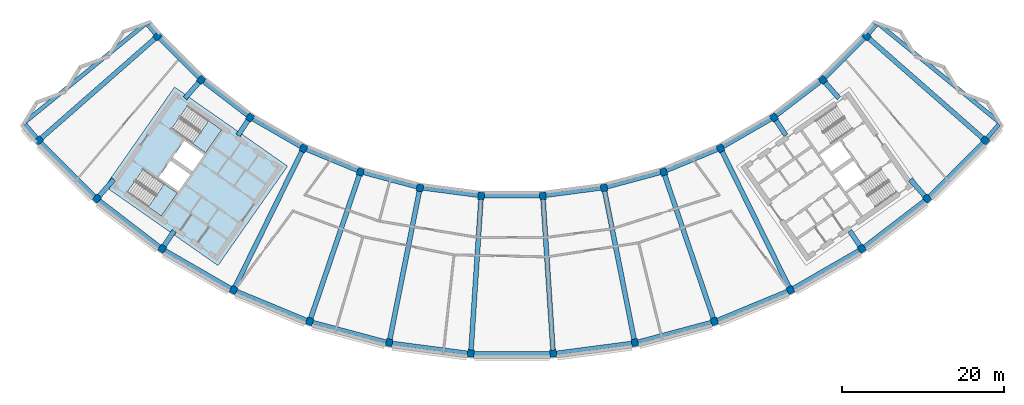
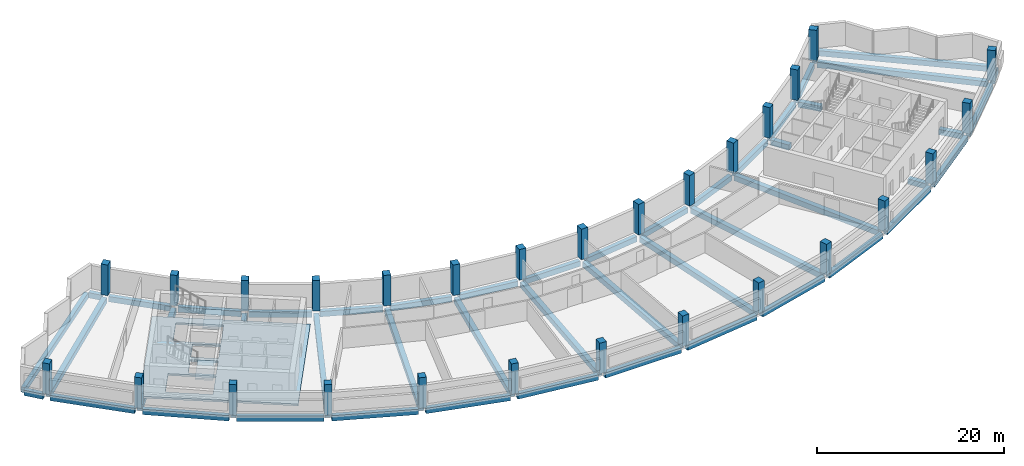
# One storey, part 1 of 11: 50 beams, 28 columns, 3 slabs, 2 elements without a shape of their own.
"""IFC4 building model written with IfcOpenShell, lengths in metres."""

from ifc_helpers import new_model, si_unit, direction, frame, origin, origin_2d, place, context, subcontext, project, spatial, polyline, rectangle, outline, extrude, material, layer, layer_set, material_profile, profile_set, type_object, element, aggregate, save


model = new_model("IFC4")

# Units and contexts
model_context = context("Model", 3, precision=1e-05, world=origin(), true_north=direction((0.0, 1.0)))
body_context = subcontext(model_context, "Body", "Model", "MODEL_VIEW")
ifc_project = project(units=[si_unit("LENGTHUNIT", "METRE"), si_unit("AREAUNIT", "SQUARE_METRE"), si_unit("VOLUMEUNIT", "CUBIC_METRE"), si_unit("PLANEANGLEUNIT", "RADIAN"), si_unit("MASSUNIT", "GRAM", prefix="KILO")], contexts=[model_context])

# Site, building, storey
site_placement = place(None, origin())
site = spatial("IfcSite", under=ifc_project, at=site_placement, CompositionType="ELEMENT")
building_placement = place(site_placement, origin())
building = spatial("IfcBuilding", under=site, at=building_placement, Name="Qamariyya Broadcast Tower", CompositionType="ELEMENT")
storey_placement = place(building_placement, frame((0.0, 0.0, 310.699951171875)))
storey = spatial("IfcBuildingStorey", under=building, at=storey_placement, Name="L75", CompositionType="ELEMENT", Elevation=310.699951171875)

# Columns
ifc_material_1 = material(Name="Concrete C50/60", Category="concrete")
ifc_material_profile_1 = material_profile(ifc_material_1, rectangle(XDim=0.800048828125, YDim=0.89990234375, at=origin_2d()))
ifc_profile_set_1 = profile_set([ifc_material_profile_1], Name="Concrete C50/60")
column_type = type_object("IfcColumnType", Name="RC column 800 x 900 C50/60", PredefinedType="COLUMN", material=ifc_profile_set_1)
for number, where, z_axis, x_axis, name in (
    (1, (-43.794677734375, -38.406982421875, 0.0), (0.0, 0.0, 1.0), (0.6593458151, -0.751839807479, 0.0), "Column C13 L75 B-R04"),
    (2, (-58.45556640625, -51.26416015625, 0.0), (0.0, 0.0, 1.0), (0.6593458151, -0.751839807479, 0.0), "Column C13 L75 C-R04"),
    (3, (-38.406982421875, -43.794677734375, 0.0), (0.0, 0.0, 1.0), (0.751839807479, -0.6593458151, 0.0), "Column C13 L75 B-R05"),
    (4, (-51.26416015625, -58.45556640625, 0.0), (0.0, 0.0, 1.0), (0.751839807479, -0.6593458151, 0.0), "Column C13 L75 C-R05"),
    (5, (-32.362060546875, -48.43310546875, 0.0), (0.0, 0.0, 1.0), (0.831469612303, -0.55557023302, 0.0), "Column C13 L75 B-R06"),
    (6, (-43.195556640625, -64.646728515625, 0.0), (0.0, 0.0, 1.0), (0.831469612303, -0.55557023302, 0.0), "Column C13 L75 C-R06"),
    (7, (-25.763427734375, -52.242919921875, 0.0), (0.0, 0.0, 1.0), (0.896872741533, -0.442288690219, 0.0), "Column C13 L75 B-R07"),
    (8, (-34.387939453125, -69.73193359375, 0.0), (0.0, 0.0, 1.0), (0.896872741533, -0.442288690219, 0.0), "Column C13 L75 C-R07"),
    (9, (-18.723876953125, -55.15869140625, 0.0), (0.0, 0.0, 1.0), (0.946930129495, -0.321439465303, 0.0), "Column C13 L75 B-R08"),
    (10, (-24.991943359375, -73.623779296875, 0.0), (0.0, 0.0, 1.0), (0.946930129495, -0.321439465303, 0.0), "Column C13 L75 C-R08"),
    (11, (-11.364013671875, -57.130859375, 0.0), (0.0, 0.0, 1.0), (0.980785280403, -0.195090322016, 0.0), "Column C13 L75 B-R09"),
    (12, (-15.168212890625, -76.256103515625, 0.0), (0.0, 0.0, 1.0), (0.980785280403, -0.195090322016, 0.0), "Column C13 L75 C-R09"),
    (13, (-3.809814453125, -58.125244140625, 0.0), (0.0, 0.0, 1.0), (0.997858923239, -0.06540312923, 0.0), "Column C13 L75 B-R10"),
    (14, (-5.085205078125, -77.58349609375, 0.0), (0.0, 0.0, 1.0), (0.997858923239, -0.06540312923, 0.0), "Column C13 L75 C-R10"),
    (15, (3.809814453125, -58.125244140625, 0.0), (0.0, 0.0, 1.0), (0.997858923239, 0.06540312923, 0.0), "Column C13 L75 B-R11"),
    (16, (5.085205078125, -77.58349609375, 0.0), (0.0, 0.0, 1.0), (0.997858923239, 0.06540312923, 0.0), "Column C13 L75 C-R11"),
    (17, (11.364013671875, -57.130859375, 0.0), (0.0, 0.0, 1.0), (0.980785280403, 0.195090322016, 0.0), "Column C13 L75 B-R12"),
    (18, (15.168212890625, -76.256103515625, 0.0), (0.0, 0.0, 1.0), (0.980785280403, 0.195090322016, 0.0), "Column C13 L75 C-R12"),
    (19, (18.723876953125, -55.15869140625, 0.0), (0.0, 0.0, 1.0), (0.946930129495, 0.321439465303, 0.0), "Column C13 L75 B-R13"),
    (20, (24.991943359375, -73.623779296875, 0.0), (0.0, 0.0, 1.0), (0.946930129495, 0.321439465303, 0.0), "Column C13 L75 C-R13"),
    (21, (25.763427734375, -52.242919921875, 0.0), (0.0, 0.0, 1.0), (0.896872741533, 0.442288690219, 0.0), "Column C13 L75 B-R14"),
    (22, (34.387939453125, -69.73193359375, 0.0), (0.0, 0.0, 1.0), (0.896872741533, 0.442288690219, 0.0), "Column C13 L75 C-R14"),
    (23, (32.362060546875, -48.43310546875, 0.0), (0.0, 0.0, 1.0), (0.831469612303, 0.55557023302, 0.0), "Column C13 L75 B-R15"),
    (24, (43.195556640625, -64.646728515625, 0.0), (0.0, 0.0, 1.0), (0.831469612303, 0.55557023302, 0.0), "Column C13 L75 C-R15"),
    (25, (38.406982421875, -43.794677734375, 0.0), (0.0, 0.0, 1.0), (0.751839807479, 0.6593458151, 0.0), "Column C13 L75 B-R16"),
    (26, (51.26416015625, -58.45556640625, 0.0), (0.0, 0.0, 1.0), (0.751839807479, 0.6593458151, 0.0), "Column C13 L75 C-R16"),
    (27, (43.794677734375, -38.406982421875, 0.0), (0.0, 0.0, 1.0), (0.6593458151, 0.751839807479, 0.0), "Column C13 L75 B-R17"),
    (28, (58.45556640625, -51.26416015625, 0.0), (0.0, 0.0, 1.0), (0.6593458151, 0.751839807479, 0.0), "Column C13 L75 C-R17"),
):
    element("IfcColumn", number, at=place(storey_placement, frame(where, z_axis=z_axis, x_axis=x_axis)), inside=storey, type_object=column_type, Name=name, PredefinedType="COLUMN", context=body_context, shape_type="SweptSolid", body=[
        extrude(rectangle(XDim=0.800048828125, YDim=0.89990234375, at=origin_2d()), origin(), (0.0, 0.0, 1.0), 4.0),
    ])

# Beams
ifc_material_2 = material(Name="Concrete C40/50", Category="concrete")
ifc_material_profile_2 = material_profile(ifc_material_2, rectangle(XDim=0.5, YDim=0.699951171875, at=origin_2d()))
ifc_profile_set_2 = profile_set([ifc_material_profile_2], Name="Concrete C40/50")
beam_type_1 = type_object("IfcBeamType", Name="RC edge beam 500 x 700 C40/50", PredefinedType="SPANDREL", material=ifc_profile_set_2)
beam_1_placement = place(storey_placement, frame((-43.51123046875, -38.6904296875, -0.599853515625), z_axis=(0.707106781187, -0.707106781187, 0.0), x_axis=(0.707106781187, 0.707106781187, 0.0)))
element("IfcBeam", 29, at=beam_1_placement, inside=storey, type_object=beam_type_1, Name="Edge beam B32 L75 B R04-R05", PredefinedType="SPANDREL", context=body_context, shape_type="SweptSolid", body=[
    extrude(rectangle(XDim=0.5, YDim=0.699951171875, at=origin_2d()), origin(), (0.0, 0.0, 1.0), 6.817626953125),
])
for number, where, z_axis, x_axis, name in (
    (30, (-38.0888671875, -44.03857421875, -0.599853515625), (0.793355578527, -0.608758512072, 0.0), (0.608758512072, 0.793355578527, 0.0), "Edge beam B32 L75 B R05-R06"),
    (31, (-32.014892578125, -48.633544921875, -0.599853515625), (0.866028756998, -0.499994192018, 0.0), (0.499994192018, 0.866028756998, 0.0), "Edge beam B32 L75 B R06-R07"),
    (32, (-25.39306640625, -52.396240234375, -0.599853515625), (0.923875859791, -0.382692298976, 0.0), (0.382692298976, 0.923875859791, 0.0), "Edge beam B32 L75 B R07-R08"),
    (33, (-18.336669921875, -55.262451171875, -0.599853515625), (0.965922796001, -0.258830354026, 0.0), (0.258830354026, 0.965922796001, 0.0), "Edge beam B32 L75 B R08-R09"),
):
    element("IfcBeam", number, at=place(storey_placement, frame(where, z_axis=z_axis, x_axis=x_axis)), inside=storey, type_object=beam_type_1, Name=name, PredefinedType="SPANDREL", context=body_context, shape_type="SweptSolid", body=[
        extrude(rectangle(XDim=0.5, YDim=0.699951171875, at=origin_2d()), origin(), (0.0, 0.0, 1.0), 6.81787109375),
    ])
beam_2_placement = place(storey_placement, frame((-10.966552734375, -57.18310546875, -0.599853515625), z_axis=(0.991444541835, -0.130528619338, 0.0), x_axis=(0.130528619338, 0.991444541835, 0.0)))
element("IfcBeam", 34, at=beam_2_placement, inside=storey, type_object=beam_type_1, Name="Edge beam B32 L75 B R09-R10", PredefinedType="SPANDREL", context=body_context, shape_type="SweptSolid", body=[
    extrude(rectangle(XDim=0.5, YDim=0.699951171875, at=origin_2d()), origin(), (0.0, 0.0, 1.0), 6.817626953125),
])
beam_3_placement = place(storey_placement, frame((-3.408935546875, -58.125244140625, -0.599853515625), z_axis=(1.0, 0.0, 0.0), x_axis=(0.0, 1.0, 0.0)))
element("IfcBeam", 35, at=beam_3_placement, inside=storey, type_object=beam_type_1, Name="Edge beam B32 L75 B R10-R11", PredefinedType="SPANDREL", context=body_context, shape_type="SweptSolid", body=[
    extrude(rectangle(XDim=0.5, YDim=0.699951171875, at=origin_2d()), origin(), (0.0, 0.0, 1.0), 6.81787109375),
])
beam_4_placement = place(storey_placement, frame((4.207275390625, -58.072998046875, -0.599853515625), z_axis=(0.991444541835, 0.130528619338, 0.0), x_axis=(-0.130528619338, 0.991444541835, 0.0)))
element("IfcBeam", 36, at=beam_4_placement, inside=storey, type_object=beam_type_1, Name="Edge beam B32 L75 B R11-R12", PredefinedType="SPANDREL", context=body_context, shape_type="SweptSolid", body=[
    extrude(rectangle(XDim=0.5, YDim=0.699951171875, at=origin_2d()), origin(), (0.0, 0.0, 1.0), 6.817626953125),
])
for number, where, z_axis, x_axis, name in (
    (37, (11.751220703125, -57.027099609375, -0.599853515625), (0.965922796001, 0.258830354026, 0.0), (-0.258830354026, 0.965922796001, 0.0), "Edge beam B32 L75 B R12-R13"),
    (38, (19.09423828125, -55.00537109375, -0.599853515625), (0.923875859791, 0.382692298976, 0.0), (-0.382692298976, 0.923875859791, 0.0), "Edge beam B32 L75 B R13-R14"),
    (39, (26.1103515625, -52.04248046875, -0.599853515625), (0.866028756998, 0.499994192018, 0.0), (-0.499994192018, 0.866028756998, 0.0), "Edge beam B32 L75 B R14-R15"),
    (40, (32.679931640625, -48.18896484375, -0.599853515625), (0.793355578527, 0.608758512072, 0.0), (-0.608758512072, 0.793355578527, 0.0), "Edge beam B32 L75 B R15-R16"),
):
    element("IfcBeam", number, at=place(storey_placement, frame(where, z_axis=z_axis, x_axis=x_axis)), inside=storey, type_object=beam_type_1, Name=name, PredefinedType="SPANDREL", context=body_context, shape_type="SweptSolid", body=[
        extrude(rectangle(XDim=0.5, YDim=0.699951171875, at=origin_2d()), origin(), (0.0, 0.0, 1.0), 6.81787109375),
    ])
beam_5_placement = place(storey_placement, frame((38.6904296875, -43.51123046875, -0.599853515625), z_axis=(0.707106781187, 0.707106781187, 0.0), x_axis=(-0.707106781187, 0.707106781187, 0.0)))
element("IfcBeam", 41, at=beam_5_placement, inside=storey, type_object=beam_type_1, Name="Edge beam B32 L75 B R16-R17", PredefinedType="SPANDREL", context=body_context, shape_type="SweptSolid", body=[
    extrude(rectangle(XDim=0.5, YDim=0.699951171875, at=origin_2d()), origin(), (0.0, 0.0, 1.0), 6.817626953125),
])
for number, where, z_axis, x_axis, name in (
    (42, (-58.172119140625, -51.547607421875, -0.599853515625), (0.707106781187, -0.707106781187, 0.0), (0.707106781187, 0.707106781187, 0.0), "Edge beam B32 L75 C R04-R05"),
    (43, (-50.946044921875, -58.699462890625, -0.599853515625), (0.793337425087, -0.608782169545, 0.0), (0.608782169545, 0.793337425087, 0.0), "Edge beam B32 L75 C R05-R06"),
    (44, (-42.848388671875, -64.84716796875, -0.599853515625), (0.866019808396, -0.500009691372, 0.0), (0.500009691372, 0.866019808396, 0.0), "Edge beam B32 L75 C R06-R07"),
    (45, (-34.017578125, -69.88525390625, -0.599853515625), (0.923876761165, -0.382690122919, 0.0), (0.382690122919, 0.923876761165, 0.0), "Edge beam B32 L75 C R07-R08"),
):
    element("IfcBeam", number, at=place(storey_placement, frame(where, z_axis=z_axis, x_axis=x_axis)), inside=storey, type_object=beam_type_1, Name=name, PredefinedType="SPANDREL", context=body_context, shape_type="SweptSolid", body=[
        extrude(rectangle(XDim=0.5, YDim=0.699951171875, at=origin_2d()), origin(), (0.0, 0.0, 1.0), 9.368408203125),
    ])
beam_6_placement = place(storey_placement, frame((-24.604736328125, -73.7275390625, -0.599853515625), z_axis=(0.965924554352, -0.258823791988, 0.0), x_axis=(0.258823791988, 0.965924554352, 0.0)))
element("IfcBeam", 46, at=beam_6_placement, inside=storey, type_object=beam_type_1, Name="Edge beam B32 L75 C R08-R09", PredefinedType="SPANDREL", context=body_context, shape_type="SweptSolid", body=[
    extrude(rectangle(XDim=0.5, YDim=0.699951171875, at=origin_2d()), origin(), (0.0, 0.0, 1.0), 9.36865234375),
])
beam_7_placement = place(storey_placement, frame((-14.770751953125, -76.308349609375, -0.599853515625), z_axis=(0.991443914621, -0.130533383318, 0.0), x_axis=(0.130533383318, 0.991443914621, 0.0)))
element("IfcBeam", 47, at=beam_7_placement, inside=storey, type_object=beam_type_1, Name="Edge beam B32 L75 C R09-R10", PredefinedType="SPANDREL", context=body_context, shape_type="SweptSolid", body=[
    extrude(rectangle(XDim=0.5, YDim=0.699951171875, at=origin_2d()), origin(), (0.0, 0.0, 1.0), 9.368408203125),
])
beam_8_placement = place(storey_placement, frame((-4.684326171875, -77.58349609375, -0.599853515625), z_axis=(1.0, 0.0, 0.0), x_axis=(0.0, 1.0, 0.0)))
element("IfcBeam", 48, at=beam_8_placement, inside=storey, type_object=beam_type_1, Name="Edge beam B32 L75 C R10-R11", PredefinedType="SPANDREL", context=body_context, shape_type="SweptSolid", body=[
    extrude(rectangle(XDim=0.5, YDim=0.699951171875, at=origin_2d()), origin(), (0.0, 0.0, 1.0), 9.36865234375),
])
beam_9_placement = place(storey_placement, frame((5.482421875, -77.53125, -0.599853515625), z_axis=(0.991443914621, 0.130533383318, 0.0), x_axis=(-0.130533383318, 0.991443914621, 0.0)))
element("IfcBeam", 49, at=beam_9_placement, inside=storey, type_object=beam_type_1, Name="Edge beam B32 L75 C R11-R12", PredefinedType="SPANDREL", context=body_context, shape_type="SweptSolid", body=[
    extrude(rectangle(XDim=0.5, YDim=0.699951171875, at=origin_2d()), origin(), (0.0, 0.0, 1.0), 9.368408203125),
])
beam_10_placement = place(storey_placement, frame((15.555419921875, -76.15234375, -0.599853515625), z_axis=(0.965924554352, 0.258823791988, 0.0), x_axis=(-0.258823791988, 0.965924554352, 0.0)))
element("IfcBeam", 50, at=beam_10_placement, inside=storey, type_object=beam_type_1, Name="Edge beam B32 L75 C R12-R13", PredefinedType="SPANDREL", context=body_context, shape_type="SweptSolid", body=[
    extrude(rectangle(XDim=0.5, YDim=0.699951171875, at=origin_2d()), origin(), (0.0, 0.0, 1.0), 9.36865234375),
])
for number, where, z_axis, x_axis, name in (
    (51, (25.3623046875, -73.470458984375, -0.599853515625), (0.923876761165, 0.382690122919, 0.0), (-0.382690122919, 0.923876761165, 0.0), "Edge beam B32 L75 C R13-R14"),
    (52, (34.735107421875, -69.531494140625, -0.599853515625), (0.866019808396, 0.500009691372, 0.0), (-0.500009691372, 0.866019808396, 0.0), "Edge beam B32 L75 C R14-R15"),
    (53, (43.513671875, -64.40283203125, -0.599853515625), (0.793337425087, 0.608782169545, 0.0), (-0.608782169545, 0.793337425087, 0.0), "Edge beam B32 L75 C R15-R16"),
    (54, (51.547607421875, -58.172119140625, -0.599853515625), (0.707106781187, 0.707106781187, 0.0), (-0.707106781187, 0.707106781187, 0.0), "Edge beam B32 L75 C R16-R17"),
):
    element("IfcBeam", number, at=place(storey_placement, frame(where, z_axis=z_axis, x_axis=x_axis)), inside=storey, type_object=beam_type_1, Name=name, PredefinedType="SPANDREL", context=body_context, shape_type="SweptSolid", body=[
        extrude(rectangle(XDim=0.5, YDim=0.699951171875, at=origin_2d()), origin(), (0.0, 0.0, 1.0), 9.368408203125),
    ])
ifc_material_profile_3 = material_profile(ifc_material_2, rectangle(XDim=0.5, YDim=0.699951171875, at=origin_2d()))
ifc_profile_set_3 = profile_set([ifc_material_profile_3], Name="Concrete C40/50")
beam_type_2 = type_object("IfcBeamType", Name="RC horn beam 500 x 700 C40/50", PredefinedType="BEAM", material=ifc_profile_set_3)
beam_11_placement = place(storey_placement, frame((-44.052978515625, -38.101318359375, -0.599853515625), z_axis=(-0.645562267298, 0.763707639769, 0.0), x_axis=(-0.763707639769, -0.645562267298, 0.0)))
element("IfcBeam", 55, at=beam_11_placement, inside=storey, type_object=beam_type_2, Name="Horn beam B33 L75 W B-R04", PredefinedType="BEAM", context=body_context, shape_type="SweptSolid", body=[
    extrude(rectangle(XDim=0.5, YDim=0.699951171875, at=origin_2d()), origin(), (0.0, 0.0, 1.0), 1.46923828125),
])
beam_12_placement = place(storey_placement, frame((-58.7138671875, -50.95849609375, -0.599853515625), z_axis=(-0.645580484074, 0.763692240751, 0.0), x_axis=(-0.763692240751, -0.645580484074, 0.0)))
element("IfcBeam", 56, at=beam_12_placement, inside=storey, type_object=beam_type_2, Name="Horn beam B33 L75 W C-R04", PredefinedType="BEAM", context=body_context, shape_type="SweptSolid", body=[
    extrude(rectangle(XDim=0.5, YDim=0.699951171875, at=origin_2d()), origin(), (0.0, 0.0, 1.0), 2.1787109375),
])
beam_13_placement = place(storey_placement, frame((44.052978515625, -38.101318359375, -0.599853515625), z_axis=(0.645562267298, 0.763707639769, 0.0), x_axis=(-0.763707639769, 0.645562267298, 0.0)))
element("IfcBeam", 57, at=beam_13_placement, inside=storey, type_object=beam_type_2, Name="Horn beam B33 L75 E B-R17", PredefinedType="BEAM", context=body_context, shape_type="SweptSolid", body=[
    extrude(rectangle(XDim=0.5, YDim=0.699951171875, at=origin_2d()), origin(), (0.0, 0.0, 1.0), 1.46923828125),
])
beam_14_placement = place(storey_placement, frame((58.7138671875, -50.95849609375, -0.599853515625), z_axis=(0.645580484074, 0.763692240751, 0.0), x_axis=(-0.763692240751, 0.645580484074, 0.0)))
element("IfcBeam", 58, at=beam_14_placement, inside=storey, type_object=beam_type_2, Name="Horn beam B33 L75 E C-R17", PredefinedType="BEAM", context=body_context, shape_type="SweptSolid", body=[
    extrude(rectangle(XDim=0.5, YDim=0.699951171875, at=origin_2d()), origin(), (0.0, 0.0, 1.0), 2.1787109375),
])
ifc_material_profile_4 = material_profile(ifc_material_2, rectangle(XDim=0.5, YDim=0.699951171875, at=origin_2d()))
ifc_profile_set_4 = profile_set([ifc_material_profile_4], Name="Concrete C40/50")
beam_type_3 = type_object("IfcBeamType", Name="RC horn cap beam 500 x 700 C40/50", PredefinedType="BEAM", material=ifc_profile_set_4)
for number, where, z_axis, x_axis, name in (
    (59, (-45.356689453125, -36.9462890625, -0.599853515625), (-0.775330061416, -0.631556249169, 0.0), (0.631556249169, -0.775330061416, 0.0), "Horn cap beam B21 L75 W B-C"),
    (60, (45.356689453125, -36.9462890625, -0.599853515625), (0.775330061416, -0.631556249169, 0.0), (0.631556249169, 0.775330061416, 0.0), "Horn cap beam B21 L75 E B-C"),
):
    element("IfcBeam", number, at=place(storey_placement, frame(where, z_axis=z_axis, x_axis=x_axis)), inside=storey, type_object=beam_type_3, Name=name, PredefinedType="BEAM", context=body_context, shape_type="SweptSolid", body=[
        extrude(rectangle(XDim=0.5, YDim=0.699951171875, at=origin_2d()), origin(), (0.0, 0.0, 1.0), 19.0),
    ])
ifc_material_profile_5 = material_profile(ifc_material_2, rectangle(XDim=0.60009765625, YDim=0.699951171875, at=origin_2d()))
ifc_profile_set_5 = profile_set([ifc_material_profile_5], Name="Concrete C40/50")
beam_type_4 = type_object("IfcBeamType", Name="RC radial beam 600 x 700 C40/50", PredefinedType="BEAM", material=ifc_profile_set_5)
beam_15_placement = place(storey_placement, frame((-44.133056640625, -38.70361328125, -0.599853515625), z_axis=(-0.751835479309, -0.659350750399, 0.0), x_axis=(0.659350750399, -0.751835479309, 0.0)))
element("IfcBeam", 61, at=beam_15_placement, inside=storey, type_object=beam_type_4, Name="Radial beam B31 L75 R04 B-C", PredefinedType="BEAM", context=body_context, shape_type="SweptSolid", body=[
    extrude(rectangle(XDim=0.60009765625, YDim=0.699951171875, at=origin_2d()), origin(), (0.0, 0.0, 1.0), 18.60009765625),
])
beam_16_placement = place(storey_placement, frame((-38.70361328125, -44.133056640625, -0.599853515625), z_axis=(-0.65936701245, -0.751821217373, 0.0), x_axis=(0.751821217373, -0.65936701245, 0.0)))
element("IfcBeam", 62, at=beam_16_placement, inside=storey, type_object=beam_type_4, Name="Radial beam B31 L75 R05 B-C", PredefinedType="BEAM", context=body_context, shape_type="SweptSolid", body=[
    extrude(rectangle(XDim=0.60009765625, YDim=0.699951171875, at=origin_2d()), origin(), (0.0, 0.0, 1.0), 2.56396484375),
])
beam_17_placement = place(storey_placement, frame((-49.1943359375, -56.095458984375, -0.599853515625), z_axis=(-0.659384708976, -0.751805696686, 0.0), x_axis=(0.751805696686, -0.659384708976, 0.0)))
element("IfcBeam", 63, at=beam_17_placement, inside=storey, type_object=beam_type_4, Name="Radial beam B31 L75 R05 B-C", PredefinedType="BEAM", context=body_context, shape_type="SweptSolid", body=[
    extrude(rectangle(XDim=0.60009765625, YDim=0.699951171875, at=origin_2d()), origin(), (0.0, 0.0, 1.0), 2.689208984375),
])
beam_18_placement = place(storey_placement, frame((-32.612060546875, -48.807373046875, -0.599853515625), z_axis=(-0.555590424473, -0.83145612045, 0.0), x_axis=(0.83145612045, -0.555590424473, 0.0)))
element("IfcBeam", 64, at=beam_18_placement, inside=storey, type_object=beam_type_4, Name="Radial beam B31 L75 R06 B-C", PredefinedType="BEAM", context=body_context, shape_type="SweptSolid", body=[
    extrude(rectangle(XDim=0.60009765625, YDim=0.699951171875, at=origin_2d()), origin(), (0.0, 0.0, 1.0), 2.21435546875),
])
beam_19_placement = place(storey_placement, frame((-41.733154296875, -62.458251953125, -0.599853515625), z_axis=(-0.555577686168, -0.83146463222, 0.0), x_axis=(0.83146463222, -0.555577686168, 0.0)))
element("IfcBeam", 65, at=beam_19_placement, inside=storey, type_object=beam_type_4, Name="Radial beam B31 L75 R06 B-C", PredefinedType="BEAM", context=body_context, shape_type="SweptSolid", body=[
    extrude(rectangle(XDim=0.60009765625, YDim=0.699951171875, at=origin_2d()), origin(), (0.0, 0.0, 1.0), 2.18212890625),
])
for number, where, z_axis, x_axis, name in (
    (66, (-25.96240234375, -52.646484375, -0.599853515625), (-0.442287277377, -0.896873438268, 0.0), (0.896873438268, -0.442287277377, 0.0), "Radial beam B31 L75 R07 B-C"),
    (67, (-18.868408203125, -55.584716796875, -0.599853515625), (-0.321436539423, -0.946931122692, 0.0), (0.946931122692, -0.321436539423, 0.0), "Radial beam B31 L75 R08 B-C"),
    (68, (-11.451904296875, -57.572021484375, -0.599853515625), (-0.195088681676, -0.980785606686, 0.0), (0.980785606686, -0.195088681676, 0.0), "Radial beam B31 L75 R09 B-C"),
    (69, (-3.839111328125, -58.57421875, -0.599853515625), (-0.065405603651, -0.997858761053, 0.0), (0.997858761053, -0.065405603651, 0.0), "Radial beam B31 L75 R10 B-C"),
    (70, (3.839111328125, -58.57421875, -0.599853515625), (0.065405603651, -0.997858761053, 0.0), (0.997858761053, 0.065405603651, 0.0), "Radial beam B31 L75 R11 B-C"),
    (71, (11.451904296875, -57.572021484375, -0.599853515625), (0.195088681676, -0.980785606686, 0.0), (0.980785606686, 0.195088681676, 0.0), "Radial beam B31 L75 R12 B-C"),
    (72, (18.868408203125, -55.584716796875, -0.599853515625), (0.321436539423, -0.946931122692, 0.0), (0.946931122692, 0.321436539423, 0.0), "Radial beam B31 L75 R13 B-C"),
    (73, (25.96240234375, -52.646484375, -0.599853515625), (0.442287277377, -0.896873438268, 0.0), (0.896873438268, 0.442287277377, 0.0), "Radial beam B31 L75 R14 B-C"),
):
    element("IfcBeam", number, at=place(storey_placement, frame(where, z_axis=z_axis, x_axis=x_axis)), inside=storey, type_object=beam_type_4, Name=name, PredefinedType="BEAM", context=body_context, shape_type="SweptSolid", body=[
        extrude(rectangle(XDim=0.60009765625, YDim=0.699951171875, at=origin_2d()), origin(), (0.0, 0.0, 1.0), 18.60009765625),
    ])
beam_20_placement = place(storey_placement, frame((32.612060546875, -48.807373046875, -0.599853515625), z_axis=(0.555590424473, -0.83145612045, 0.0), x_axis=(0.83145612045, 0.555590424473, 0.0)))
element("IfcBeam", 74, at=beam_20_placement, inside=storey, type_object=beam_type_4, Name="Radial beam B31 L75 R15 B-C", PredefinedType="BEAM", context=body_context, shape_type="SweptSolid", body=[
    extrude(rectangle(XDim=0.60009765625, YDim=0.699951171875, at=origin_2d()), origin(), (0.0, 0.0, 1.0), 2.21435546875),
])
beam_21_placement = place(storey_placement, frame((41.733154296875, -62.458251953125, -0.599853515625), z_axis=(0.555577686168, -0.83146463222, 0.0), x_axis=(0.83146463222, 0.555577686168, 0.0)))
element("IfcBeam", 75, at=beam_21_placement, inside=storey, type_object=beam_type_4, Name="Radial beam B31 L75 R15 B-C", PredefinedType="BEAM", context=body_context, shape_type="SweptSolid", body=[
    extrude(rectangle(XDim=0.60009765625, YDim=0.699951171875, at=origin_2d()), origin(), (0.0, 0.0, 1.0), 2.18212890625),
])
beam_22_placement = place(storey_placement, frame((38.70361328125, -44.133056640625, -0.599853515625), z_axis=(0.65936701245, -0.751821217373, 0.0), x_axis=(0.751821217373, 0.65936701245, 0.0)))
element("IfcBeam", 76, at=beam_22_placement, inside=storey, type_object=beam_type_4, Name="Radial beam B31 L75 R16 B-C", PredefinedType="BEAM", context=body_context, shape_type="SweptSolid", body=[
    extrude(rectangle(XDim=0.60009765625, YDim=0.699951171875, at=origin_2d()), origin(), (0.0, 0.0, 1.0), 2.56396484375),
])
beam_23_placement = place(storey_placement, frame((49.1943359375, -56.095458984375, -0.599853515625), z_axis=(0.659384708976, -0.751805696686, 0.0), x_axis=(0.751805696686, 0.659384708976, 0.0)))
element("IfcBeam", 77, at=beam_23_placement, inside=storey, type_object=beam_type_4, Name="Radial beam B31 L75 R16 B-C", PredefinedType="BEAM", context=body_context, shape_type="SweptSolid", body=[
    extrude(rectangle(XDim=0.60009765625, YDim=0.699951171875, at=origin_2d()), origin(), (0.0, 0.0, 1.0), 2.689208984375),
])
beam_24_placement = place(storey_placement, frame((44.133056640625, -38.70361328125, -0.599853515625), z_axis=(0.751835479309, -0.659350750399, 0.0), x_axis=(0.659350750399, 0.751835479309, 0.0)))
element("IfcBeam", 78, at=beam_24_placement, inside=storey, type_object=beam_type_4, Name="Radial beam B31 L75 R17 B-C", PredefinedType="BEAM", context=body_context, shape_type="SweptSolid", body=[
    extrude(rectangle(XDim=0.60009765625, YDim=0.699951171875, at=origin_2d()), origin(), (0.0, 0.0, 1.0), 18.60009765625),
])

# Slab
ifc_layer_1 = layer(ifc_material_2, 0.25)
ifc_layer_set_1 = layer_set([ifc_layer_1], Name="Core floor slab 250 mm Concrete C40/50")
slab_type_1 = type_object("IfcSlabType", Name="Core floor slab 250 mm Concrete C40/50", PredefinedType="FLOOR", material=ifc_layer_set_1)
slab_1_placement = place(storey_placement, frame((0.0, 0.0, -0.25)))
element("IfcSlab", 79, at=slab_1_placement, inside=storey, type_object=slab_type_1, Name="k-W-L75-slab", PredefinedType="FLOOR", context=body_context, shape_type="SweptSolid", body=[
    extrude(outline(polyline([(-50.286376953125, -56.95751953125), (-36.32373046875, -66.734375), (-27.719970703125, -54.447021484375), (-41.6826171875, -44.67041015625), (-50.286376953125, -56.95751953125)]), holes=[polyline([(-39.742431640625, -55.489990234375), (-42.199951171875, -53.769287109375), (-43.6337890625, -55.817138671875), (-41.17626953125, -57.537841796875), (-39.742431640625, -55.489990234375)]), polyline([(-39.45556640625, -55.080322265625), (-41.9130859375, -53.359619140625), (-40.47900390625, -51.311767578125), (-38.021728515625, -53.032470703125), (-39.45556640625, -55.080322265625)]), polyline([(-42.06103515625, -49.837890625), (-37.849609375, -52.78662109375), (-35.870849609375, -49.960693359375), (-40.082275390625, -47.01171875), (-42.06103515625, -49.837890625)]), polyline([(-47.538818359375, -57.66064453125), (-43.3271484375, -60.609619140625), (-41.348388671875, -57.783447265625), (-45.559814453125, -54.834716796875), (-47.538818359375, -57.66064453125)])]), origin(), (0.0, 0.0, 1.0), 0.25),
])

# Stair, slab
stair_type = type_object("IfcStairType", Name="Exit stair 24 risers of 167 mm", PredefinedType="HALF_TURN_STAIR", material=ifc_material_1)
stair_1_placement = place(storey_placement, origin())
stair_1 = element("IfcStair", 80, at=stair_1_placement, inside=storey, type_object=stair_type, Name="L75 Stair W2", PredefinedType="HALF_TURN_STAIR")
ifc_layer_2 = layer(ifc_material_1, 0.199951171875)
ifc_layer_set_2 = layer_set([ifc_layer_2], Name="Stair landing")
slab_type_2 = type_object("IfcSlabType", Name="Stair landing", PredefinedType="LANDING", material=ifc_layer_set_2)
slab_2_placement = place(storey_placement, frame((0.0, 0.0, 1.800048828125)))
slab_2 = element("IfcSlab", 81, at=slab_2_placement, type_object=slab_type_2, Name="ST-W2 landing 1", PredefinedType="LANDING", context=body_context, shape_type="SweptSolid", body=[
    extrude(outline(polyline([(-39.45458984375, -51.662841796875), (-37.849609375, -52.78662109375), (-35.870849609375, -49.960693359375), (-37.475830078125, -48.8369140625), (-39.45458984375, -51.662841796875)])), origin(), (0.0, 0.0, 1.0), 0.199951171875),
])
aggregate(stair_1, [slab_2])

stair_2_placement = place(storey_placement, origin())
stair_2 = element("IfcStair", 82, at=stair_2_placement, inside=storey, type_object=stair_type, Name="L75 Stair W1", PredefinedType="HALF_TURN_STAIR")
slab_3_placement = place(storey_placement, frame((0.0, 0.0, 1.800048828125)))
slab_3 = element("IfcSlab", 83, at=slab_3_placement, type_object=slab_type_2, Name="ST-W1 landing 1", PredefinedType="LANDING", context=body_context, shape_type="SweptSolid", body=[
    extrude(outline(polyline([(-44.93212890625, -59.48583984375), (-43.3271484375, -60.609619140625), (-41.348388671875, -57.783447265625), (-42.953369140625, -56.65966796875), (-44.93212890625, -59.48583984375)])), origin(), (0.0, 0.0, 1.0), 0.199951171875),
])
aggregate(stair_2, [slab_3])

save(model, "model.ifc")
